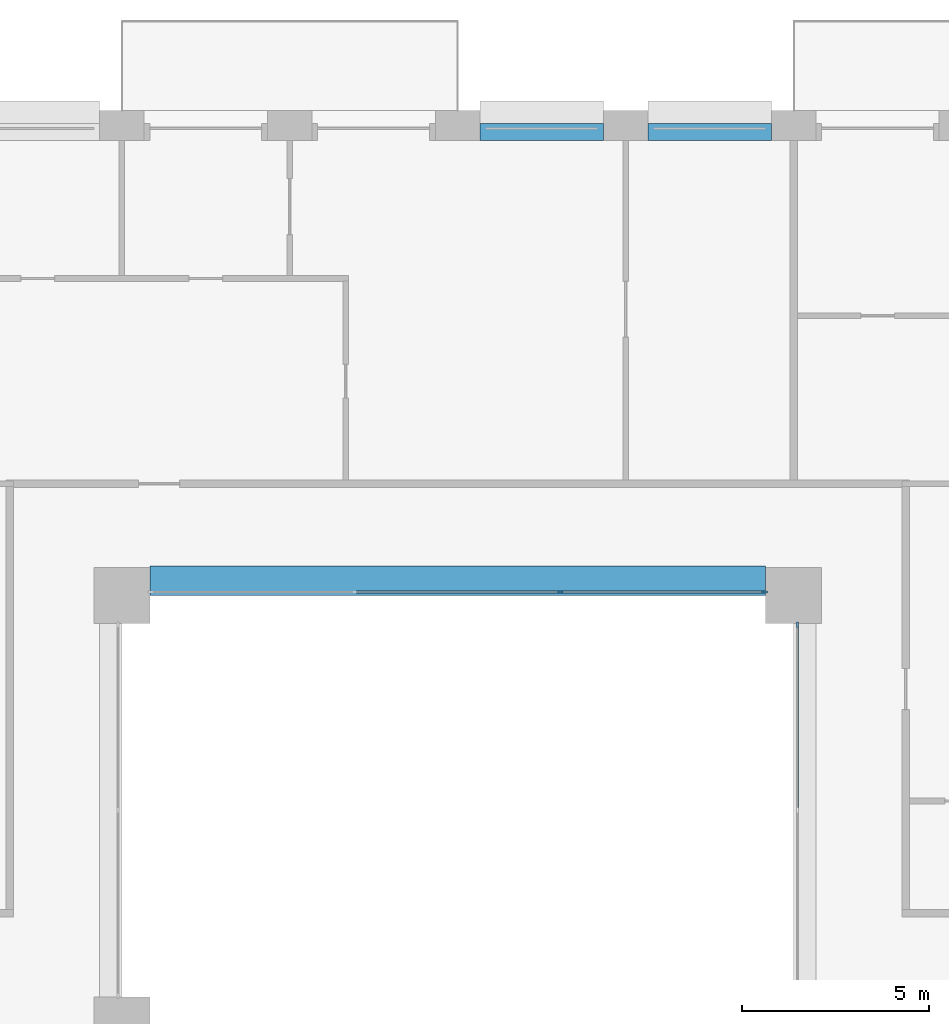
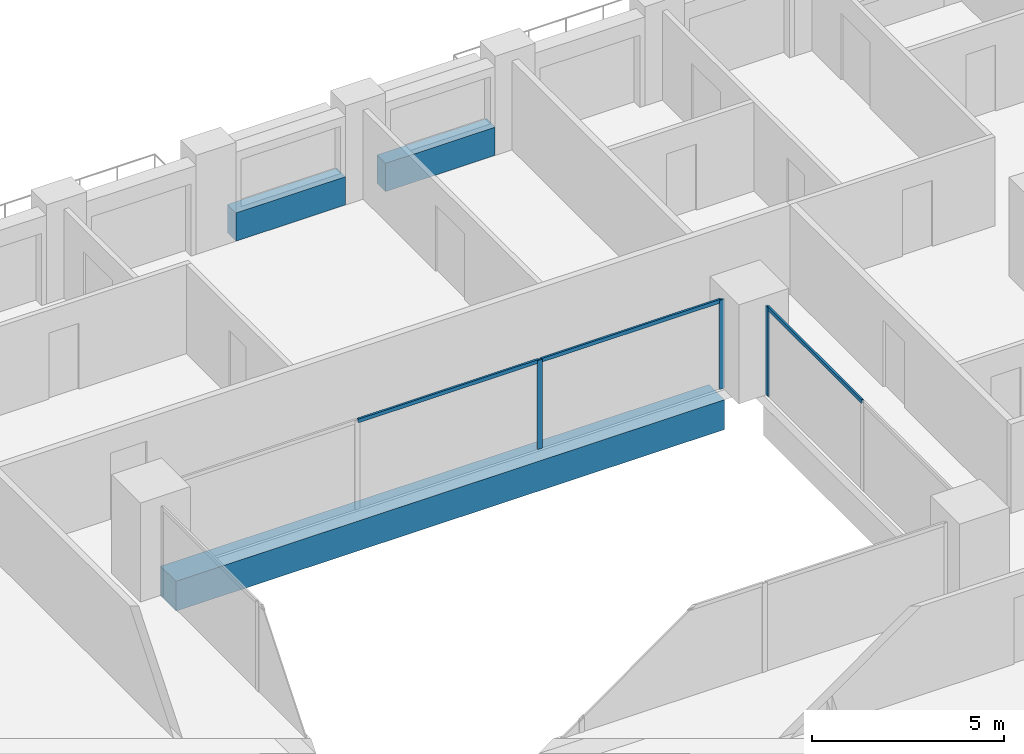
# One storey, part 7 of 20: 6 members, 3 beams, 2 elements without a shape of their own.
"""IFC4 building model written with IfcOpenShell, lengths in metres."""

from ifc_helpers import new_model, si_unit, direction, frame, origin, origin_2d, place, context, subcontext, project, spatial, rectangle, extrude, material, layer, layer_set, material_profile, profile_set, type_object, element, aggregate, save


model = new_model("IFC4")

# Units and contexts
model_context = context("Model", 3, precision=1e-05, world=origin(), true_north=direction((0.0, 1.0)))
body_context = subcontext(model_context, "Body", "Model", "MODEL_VIEW")
ifc_project = project(units=[si_unit("LENGTHUNIT", "METRE"), si_unit("AREAUNIT", "SQUARE_METRE"), si_unit("VOLUMEUNIT", "CUBIC_METRE"), si_unit("PLANEANGLEUNIT", "RADIAN"), si_unit("MASSUNIT", "GRAM", prefix="KILO")], contexts=[model_context])

# Site, building, storey
site_placement = place(None, origin())
site = spatial("IfcSite", under=ifc_project, at=site_placement, CompositionType="ELEMENT")
building_placement = place(site_placement, origin())
building = spatial("IfcBuilding", under=site, at=building_placement, Name="Brigalow Station Residences", CompositionType="ELEMENT")
storey_placement = place(building_placement, frame((0.0, 0.0, 54.14990234375)))
storey = spatial("IfcBuildingStorey", under=building, at=storey_placement, Name="L15", CompositionType="ELEMENT", Elevation=54.14990234375)

# Beam
ifc_material_1 = material(Name="Concrete C65", Category="concrete")
ifc_material_profile_1 = material_profile(ifc_material_1, rectangle(XDim=0.800048828125, YDim=0.949951171875, at=origin_2d()), Name="RC800x950")
ifc_profile_set_1 = profile_set([ifc_material_profile_1], Name="Concrete C65")
beam_type_1 = type_object("IfcBeamType", Name="ATRIUM EDGE GIRDER OVER 13.5 M SPAN 800x950 C65", PredefinedType="BEAM", material=ifc_profile_set_1)
beam_placement = place(storey_placement, frame((27.75, 35.89990234375, -0.794921875), z_axis=(1.0, 0.0, 0.0), x_axis=(0.0, 1.0, 0.0)))
element("IfcBeam", 1, at=beam_placement, inside=storey, type_object=beam_type_1, Name="ATRIUM EDGE GIRDER D L15", PredefinedType="BEAM", context=body_context, shape_type="SweptSolid", body=[
    extrude(rectangle(XDim=0.800048828125, YDim=0.949951171875, at=origin_2d()), origin(), (0.0, 0.0, 1.0), 16.5),
])

# Curtain wall, member
ifc_material_2 = material(Name="Aluminium", Category="aluminium")
ifc_layer = layer(ifc_material_2, 0.14990234375)
ifc_layer_set = layer_set([ifc_layer], Name="ATRIUM FIRE-RATED GLAZING CURTAIN WALL")
curtain_wall_type = type_object("IfcCurtainWallType", Name="ATRIUM FIRE-RATED GLAZING CURTAIN WALL", PredefinedType="NOTDEFINED", material=ifc_layer_set)
curtain_wall_1_placement = place(storey_placement, origin())
curtain_wall_1 = element("IfcCurtainWall", 2, at=curtain_wall_1_placement, inside=storey, type_object=curtain_wall_type, Name="L15/cw/atrium-E", PredefinedType="NOTDEFINED")
ifc_material_3 = material(Name="Aluminium", Category="aluminium")
ifc_material_profile_2 = material_profile(ifc_material_3, rectangle(XDim=0.06005859375, YDim=0.14990234375, at=origin_2d()), Name="ATRIUM FIRE-RATED GLAZING MULLION 60x150")
ifc_profile_set_2 = profile_set([ifc_material_profile_2], Name="Aluminium")
member_type_1 = type_object("IfcMemberType", Name="ATRIUM FIRE-RATED GLAZING MULLION 60x150", PredefinedType="MULLION", material=ifc_profile_set_2)
member_1_placement = place(storey_placement, frame((45.10009765625, 34.719970703125, 0.0), z_axis=(0.0, 0.0, 1.0), x_axis=(-1.0, 0.0, 0.0)))
member_1 = element("IfcMember", 3, at=member_1_placement, type_object=member_type_1, Name="L15/cw/atrium-E/M02", PredefinedType="MULLION", context=body_context, shape_type="SweptSolid", body=[
    extrude(rectangle(XDim=0.06005859375, YDim=0.14990234375, at=origin_2d()), origin(), (0.0, 0.0, 1.0), 2.830078125),
])

# Curtain wall, members
curtain_wall_2_placement = place(storey_placement, origin())
curtain_wall_2 = element("IfcCurtainWall", 4, at=curtain_wall_2_placement, inside=storey, type_object=curtain_wall_type, Name="L15/cw/atrium-N", PredefinedType="NOTDEFINED")
member_2_placement = place(storey_placement, frame((44.219970703125, 35.60009765625, 0.0), z_axis=(0.0, 0.0, 1.0), x_axis=(0.0, -1.0, 0.0)))
member_2 = element("IfcMember", 5, at=member_2_placement, type_object=member_type_1, Name="L15/cw/atrium-N/M00", PredefinedType="MULLION", context=body_context, shape_type="SweptSolid", body=[
    extrude(rectangle(XDim=0.06005859375, YDim=0.14990234375, at=origin_2d()), origin(), (0.0, 0.0, 1.0), 2.830078125),
])
member_3_placement = place(storey_placement, frame((38.75, 35.60009765625, 0.0), z_axis=(0.0, 0.0, 1.0), x_axis=(0.0, -1.0, 0.0)))
member_3 = element("IfcMember", 6, at=member_3_placement, type_object=member_type_1, Name="L15/cw/atrium-N/M01", PredefinedType="MULLION", context=body_context, shape_type="SweptSolid", body=[
    extrude(rectangle(XDim=0.06005859375, YDim=0.14990234375, at=origin_2d()), origin(), (0.0, 0.0, 1.0), 2.830078125),
])

# Member
ifc_material_4 = material(Name="Aluminium", Category="aluminium")
ifc_material_profile_3 = material_profile(ifc_material_4, rectangle(XDim=0.06005859375, YDim=0.1201171875, at=origin_2d()), Name="ATRIUM FIRE-RATED GLAZING TRANSOM 60x120")
ifc_profile_set_3 = profile_set([ifc_material_profile_3], Name="Aluminium")
member_type_2 = type_object("IfcMemberType", Name="ATRIUM FIRE-RATED GLAZING TRANSOM 60x120", PredefinedType="USERDEFINED", material=ifc_profile_set_3)
member_4_placement = place(storey_placement, frame((45.10009765625, 29.780029296875, 2.800048828125), z_axis=(0.0, 1.0, 0.0), x_axis=(-1.0, 0.0, 0.0)))
member_4 = element("IfcMember", 7, at=member_4_placement, type_object=member_type_2, Name="L15/cw/atrium-E/T01-00", ObjectType="TRANSOM", PredefinedType="USERDEFINED", context=body_context, shape_type="SweptSolid", body=[
    extrude(rectangle(XDim=0.06005859375, YDim=0.1201171875, at=origin_2d()), origin(), (0.0, 0.0, 1.0), 4.909912109375),
])

aggregate(curtain_wall_1, [member_1, member_4])

member_5_placement = place(storey_placement, frame((44.18994140625, 35.60009765625, 2.800048828125), z_axis=(-1.0, 0.0, 0.0), x_axis=(0.0, -1.0, 0.0)))
member_5 = element("IfcMember", 8, at=member_5_placement, type_object=member_type_2, Name="L15/cw/atrium-N/T00-00", ObjectType="TRANSOM", PredefinedType="USERDEFINED", context=body_context, shape_type="SweptSolid", body=[
    extrude(rectangle(XDim=0.06005859375, YDim=0.1201171875, at=origin_2d()), origin(), (0.0, 0.0, 1.0), 5.409912109375),
])

member_6_placement = place(storey_placement, frame((38.719970703125, 35.60009765625, 2.800048828125), z_axis=(-1.0, 0.0, 0.0), x_axis=(0.0, -1.0, 0.0)))
member_6 = element("IfcMember", 9, at=member_6_placement, type_object=member_type_2, Name="L15/cw/atrium-N/T01-00", ObjectType="TRANSOM", PredefinedType="USERDEFINED", context=body_context, shape_type="SweptSolid", body=[
    extrude(rectangle(XDim=0.06005859375, YDim=0.1201171875, at=origin_2d()), origin(), (0.0, 0.0, 1.0), 5.43994140625),
])

aggregate(curtain_wall_2, [member_2, member_3, member_5, member_6])

# Beams
ifc_material_5 = material(Name="Concrete C65", Category="concrete")
ifc_material_profile_4 = material_profile(ifc_material_5, rectangle(XDim=0.449951171875, YDim=0.89990234375, at=origin_2d()), Name="RC450x900")
ifc_profile_set_4 = profile_set([ifc_material_profile_4], Name="Concrete C65")
beam_type_2 = type_object("IfcBeamType", Name="SPANDREL BEAM 450x900 C65", PredefinedType="SPANDREL", material=ifc_profile_set_4)
for number, where, z_axis, x_axis, name in (
    (10, (44.39990234375, 47.925048828125, 0.4501953125), (-1.0, 0.0, 0.0), (0.0, -1.0, 0.0), "L15/spandrel/W-L15-31"),
    (11, (39.89990234375, 47.925048828125, 0.4501953125), (-1.0, 0.0, 0.0), (0.0, -1.0, 0.0), "L15/spandrel/W-L15-32"),
):
    element("IfcBeam", number, at=place(storey_placement, frame(where, z_axis=z_axis, x_axis=x_axis)), inside=storey, type_object=beam_type_2, Name=name, PredefinedType="SPANDREL", context=body_context, shape_type="SweptSolid", body=[
        extrude(rectangle(XDim=0.449951171875, YDim=0.89990234375, at=origin_2d()), origin(), (0.0, 0.0, 1.0), 3.2998046875),
    ])

save(model, "model.ifc")
